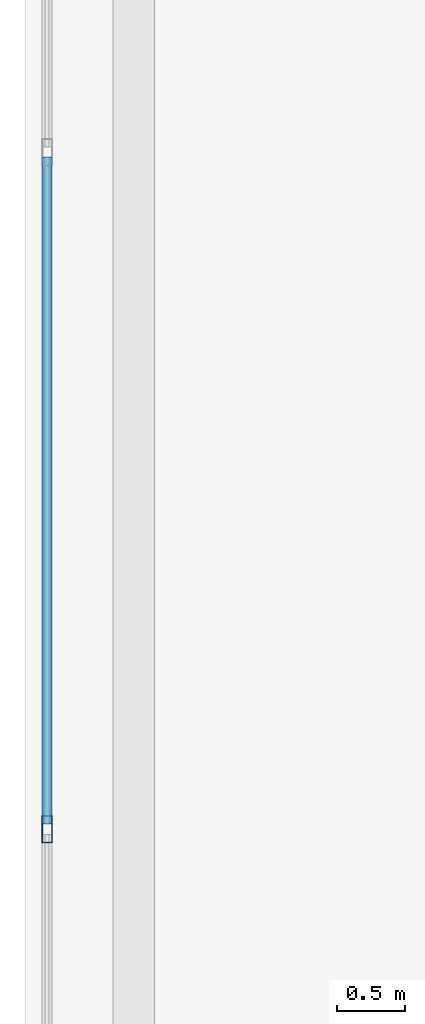
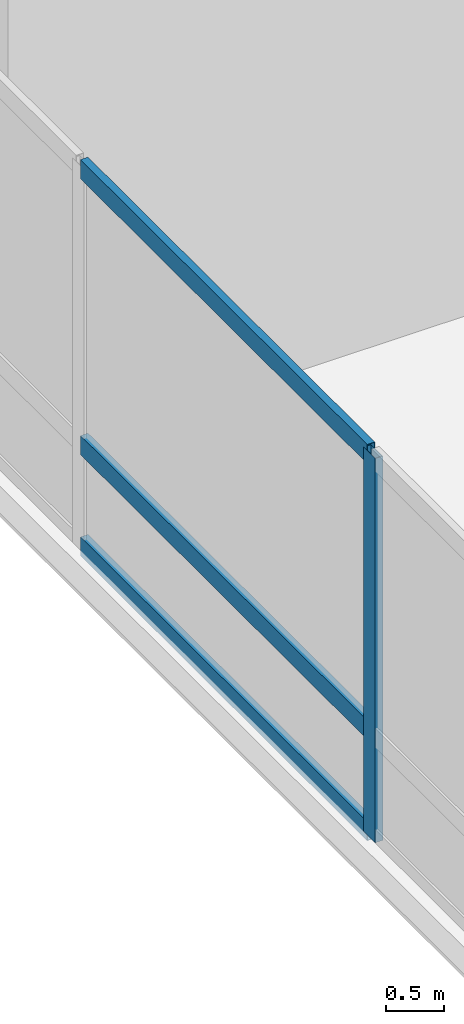
# One storey, part 4 of 31: 4 members, 1 element without a shape of its own.
"""IFC4 building model written with IfcOpenShell, lengths in metres."""

from ifc_helpers import new_model, si_unit, direction, frame, origin, origin_2d, place, context, subcontext, project, spatial, hollow_rectangle, extrude, material, layer, layer_set, material_profile, profile_set, type_object, element, aggregate, save


model = new_model("IFC4")

# Units and contexts
model_context = context("Model", 3, precision=1e-05, world=origin(), true_north=direction((0.0, 1.0)))
body_context = subcontext(model_context, "Body", "Model", "MODEL_VIEW")
ifc_project = project(units=[si_unit("LENGTHUNIT", "METRE"), si_unit("AREAUNIT", "SQUARE_METRE"), si_unit("VOLUMEUNIT", "CUBIC_METRE"), si_unit("PLANEANGLEUNIT", "RADIAN"), si_unit("MASSUNIT", "GRAM", prefix="KILO")], contexts=[model_context])

# Site, building, storey
site_placement = place(None, origin())
site = spatial("IfcSite", under=ifc_project, at=site_placement, CompositionType="ELEMENT")
building_placement = place(site_placement, origin())
building = spatial("IfcBuilding", under=site, at=building_placement, Name="Varnelok Gate Tower", CompositionType="ELEMENT")
storey_placement = place(building_placement, frame((0.0, 0.0, 16.199951171875)))
storey = spatial("IfcBuildingStorey", under=building, at=storey_placement, Name="L03", CompositionType="ELEMENT", Elevation=16.199951171875)

# Curtain wall, members
ifc_material = material(Name="Anodized Aluminum Alloy 6063-T6", Category="aluminium")
ifc_layer = layer(ifc_material, 0.179931640625)
ifc_layer_set = layer_set([ifc_layer], Name="Anodized Aluminum Alloy 6063-T6")
curtain_wall_type = type_object("IfcCurtainWallType", Name="CW1-ARCH-PORTAL", PredefinedType="USERDEFINED", material=ifc_layer_set)
curtain_wall_placement = place(storey_placement, origin())
curtain_wall = element("IfcCurtainWall", 1, at=curtain_wall_placement, inside=storey, type_object=curtain_wall_type, Name="L03 Podium Portal Curtain Wall W", ObjectType="UNITISED CURTAIN WALL", PredefinedType="USERDEFINED")
ifc_material_profile_1 = material_profile(ifc_material, hollow_rectangle(XDim=0.074951171875, YDim=0.199951171875, WallThickness=0.00390625, at=origin_2d()), Name="ALU200X75X4")
ifc_profile_set_1 = profile_set([ifc_material_profile_1], Name="Anodized Aluminum Alloy 6063-T6")
member_type_1 = type_object("IfcMemberType", Name="CW-MULL-200", PredefinedType="MULLION", material=ifc_profile_set_1)
member_1_placement = place(storey_placement, frame((0.159912109375, 20.199951171875, 0.0), z_axis=(0.0, 0.0, 1.0), x_axis=(-1.0, 0.0, 0.0)))
member_1 = element("IfcMember", 2, at=member_1_placement, type_object=member_type_1, Name="CW1 mullion 2", PredefinedType="MULLION", context=body_context, shape_type="SweptSolid", body=[
    extrude(hollow_rectangle(XDim=0.074951171875, YDim=0.199951171875, WallThickness=0.00390625, at=origin_2d()), origin(), (0.0, 0.0, 1.0), 4.030029296875),
])
ifc_material_profile_2 = material_profile(ifc_material, hollow_rectangle(XDim=0.074951171875, YDim=0.199951171875, WallThickness=0.00390625, at=origin_2d()), Name="ALU200X75X4")
ifc_profile_set_2 = profile_set([ifc_material_profile_2], Name="Anodized Aluminum Alloy 6063-T6")
member_type_2 = type_object("IfcMemberType", Name="CW-TRAN-200", PredefinedType="USERDEFINED", material=ifc_profile_set_2)
member_2_placement = place(storey_placement, frame((0.159912109375, 20.237548828125, 0.03759765625), z_axis=(0.0, 1.0, 0.0), x_axis=(-1.0, 0.0, 0.0)))
member_2 = element("IfcMember", 3, at=member_2_placement, type_object=member_type_2, Name="CW1 transom 2.1", ObjectType="TRANSOM", PredefinedType="USERDEFINED", context=body_context, shape_type="SweptSolid", body=[
    extrude(hollow_rectangle(XDim=0.074951171875, YDim=0.199951171875, WallThickness=0.00390625, at=origin_2d()), origin(), (0.0, 0.0, 1.0), 4.925048828125),
])
member_3_placement = place(storey_placement, frame((0.159912109375, 20.237548828125, 1.10009765625), z_axis=(0.0, 1.0, 0.0), x_axis=(-1.0, 0.0, 0.0)))
member_3 = element("IfcMember", 4, at=member_3_placement, type_object=member_type_2, Name="CW1 transom 2.2", ObjectType="TRANSOM", PredefinedType="USERDEFINED", context=body_context, shape_type="SweptSolid", body=[
    extrude(hollow_rectangle(XDim=0.074951171875, YDim=0.199951171875, WallThickness=0.00390625, at=origin_2d()), origin(), (0.0, 0.0, 1.0), 4.925048828125),
])
member_4_placement = place(storey_placement, frame((0.159912109375, 20.237548828125, 3.992431640625), z_axis=(0.0, 1.0, 0.0), x_axis=(-1.0, 0.0, 0.0)))
member_4 = element("IfcMember", 5, at=member_4_placement, type_object=member_type_2, Name="CW1 transom 2.3", ObjectType="TRANSOM", PredefinedType="USERDEFINED", context=body_context, shape_type="SweptSolid", body=[
    extrude(hollow_rectangle(XDim=0.074951171875, YDim=0.199951171875, WallThickness=0.00390625, at=origin_2d()), origin(), (0.0, 0.0, 1.0), 4.925048828125),
])
aggregate(curtain_wall, [member_1, member_2, member_3, member_4])

save(model, "model.ifc")
